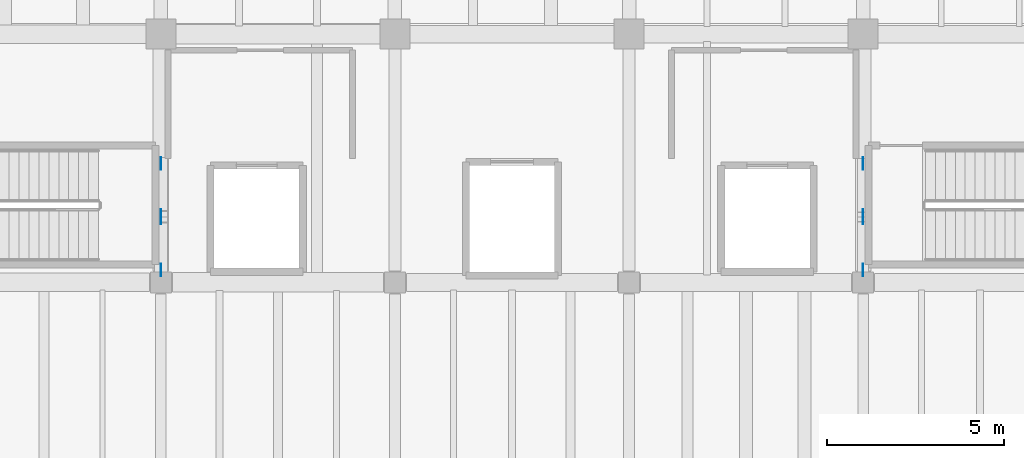
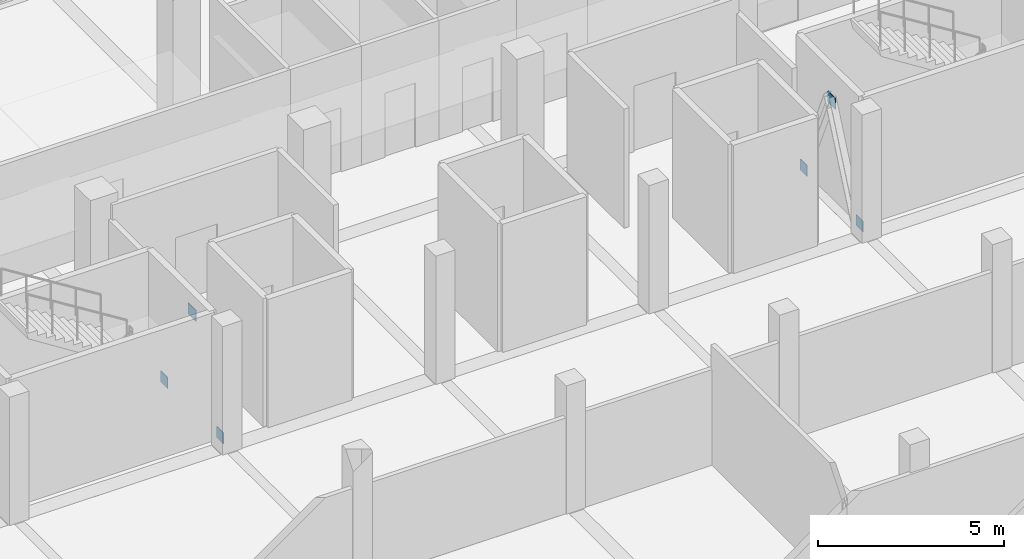
# One storey, part 43 of 68: 6 plates.
"""IFC4 building model written with IfcOpenShell, lengths in metres."""

from ifc_helpers import new_model, si_unit, direction, frame, origin, origin_2d, place, context, subcontext, project, spatial, rectangle, extrude, material, layer, layer_set, type_object, element, save


model = new_model("IFC4")

# Units and contexts
model_context = context("Model", 3, precision=1e-05, world=origin(), true_north=direction((0.0, 1.0)))
body_context = subcontext(model_context, "Body", "Model", "MODEL_VIEW")
ifc_project = project(units=[si_unit("LENGTHUNIT", "METRE"), si_unit("AREAUNIT", "SQUARE_METRE"), si_unit("VOLUMEUNIT", "CUBIC_METRE"), si_unit("PLANEANGLEUNIT", "RADIAN"), si_unit("MASSUNIT", "GRAM", prefix="KILO")], contexts=[model_context])

# Site, building, storey
site_placement = place(None, origin())
site = spatial("IfcSite", under=ifc_project, at=site_placement, CompositionType="ELEMENT")
building_placement = place(site_placement, origin())
building = spatial("IfcBuilding", under=site, at=building_placement, Name="Ciguamira Faculty of Natural Sciences", CompositionType="ELEMENT")
storey_placement = place(building_placement, frame((0.0, 0.0, 4.199951171875)))
storey = spatial("IfcBuildingStorey", under=building, at=storey_placement, Name="L01", CompositionType="ELEMENT", Elevation=4.199951171875)

# Plates
ifc_material = material(Name="Steel ASTM A572 Grade 50", Category="steel")
ifc_layer = layer(ifc_material, 0.02001953125, Name="Steel ASTM A572 Grade 50")
ifc_layer_set = layer_set([ifc_layer], Name="Steel ASTM A572 Grade 50")
plate_type = type_object("IfcPlateType", Name="GussetPlate_EP-02", PredefinedType="SHEET", material=ifc_layer_set)
plate_1_placement = place(storey_placement, frame((77.10009765625, 95.85009765625, 3.10009765625), z_axis=(0.0, 0.0, 1.0), x_axis=(1.0, 0.0, 0.0)))
element("IfcPlate", 1, at=plate_1_placement, inside=storey, type_object=plate_type, Name="L01 chevron brace apex gusset plate 005", PredefinedType="SHEET", context=body_context, shape_type="SweptSolid", body=[
    extrude(rectangle(XDim=0.02001953125, YDim=0.419921875, at=origin_2d()), origin(), (0.0, 0.0, 1.0), 0.360107421875),
])
for number, where, z_axis, x_axis, name in (
    (2, (77.10009765625, 94.35009765625, -0.02001953125), (0.0, 0.0, 1.0), (1.0, 0.0, 0.0), "L01 chevron brace base gusset plate 009"),
    (3, (77.10009765625, 97.35009765625, -0.02001953125), (0.0, 0.0, 1.0), (1.0, 0.0, 0.0), "L01 chevron brace base gusset plate 010"),
):
    element("IfcPlate", number, at=place(storey_placement, frame(where, z_axis=z_axis, x_axis=x_axis)), inside=storey, type_object=plate_type, Name=name, PredefinedType="SHEET", context=body_context, shape_type="SweptSolid", body=[
        extrude(rectangle(XDim=0.02001953125, YDim=0.360107421875, at=origin_2d()), origin(), (0.0, 0.0, 1.0), 0.360107421875),
    ])
plate_2_placement = place(storey_placement, frame((96.89990234375, 95.85009765625, 3.10009765625), z_axis=(0.0, 0.0, 1.0), x_axis=(1.0, 0.0, 0.0)))
element("IfcPlate", 4, at=plate_2_placement, inside=storey, type_object=plate_type, Name="L01 chevron brace apex gusset plate 006", PredefinedType="SHEET", context=body_context, shape_type="SweptSolid", body=[
    extrude(rectangle(XDim=0.02001953125, YDim=0.419921875, at=origin_2d()), origin(), (0.0, 0.0, 1.0), 0.360107421875),
])
for number, where, z_axis, x_axis, name in (
    (5, (96.89990234375, 94.35009765625, -0.02001953125), (0.0, 0.0, 1.0), (1.0, 0.0, 0.0), "L01 chevron brace base gusset plate 011"),
    (6, (96.89990234375, 97.35009765625, -0.02001953125), (0.0, 0.0, 1.0), (1.0, 0.0, 0.0), "L01 chevron brace base gusset plate 012"),
):
    element("IfcPlate", number, at=place(storey_placement, frame(where, z_axis=z_axis, x_axis=x_axis)), inside=storey, type_object=plate_type, Name=name, PredefinedType="SHEET", context=body_context, shape_type="SweptSolid", body=[
        extrude(rectangle(XDim=0.02001953125, YDim=0.360107421875, at=origin_2d()), origin(), (0.0, 0.0, 1.0), 0.360107421875),
    ])

save(model, "model.ifc")
